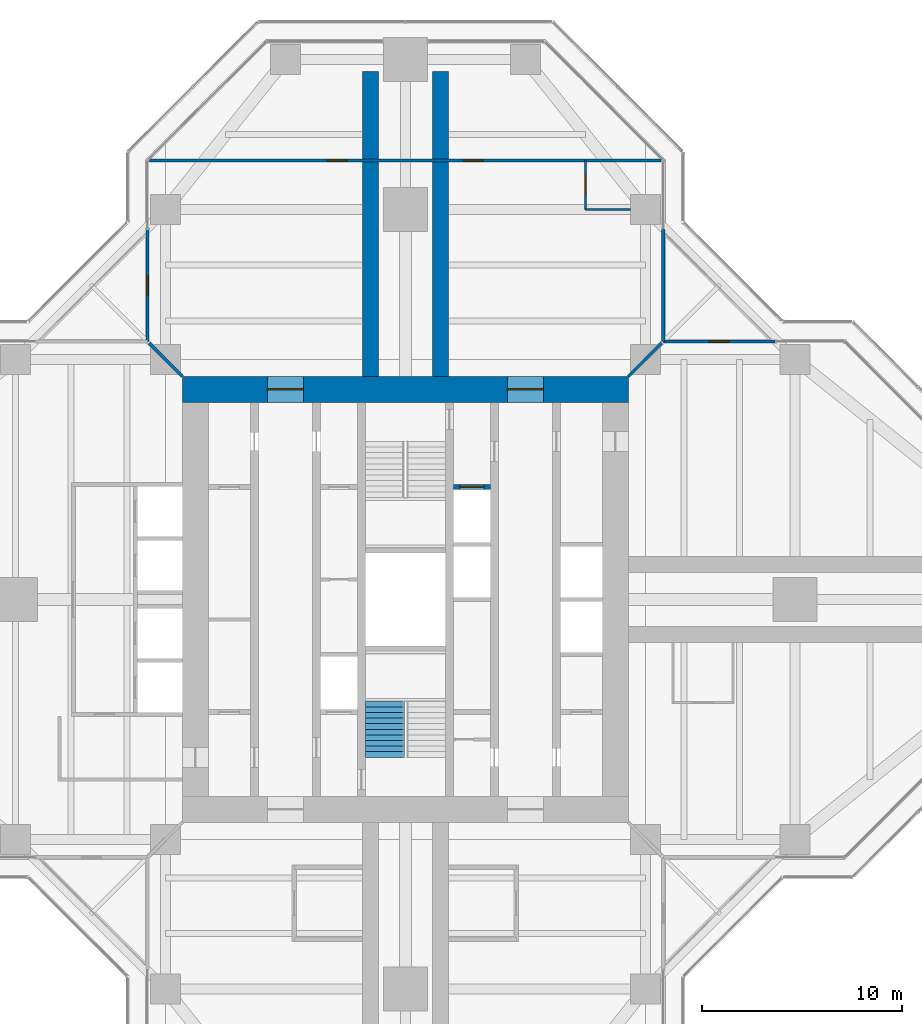
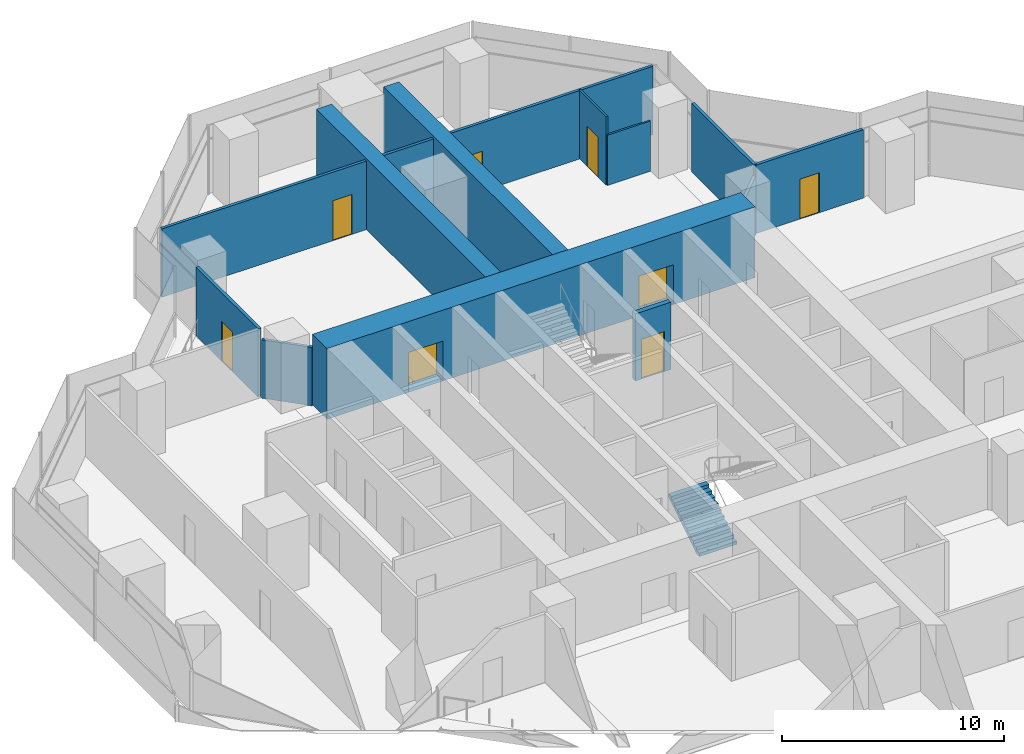
# One storey, part 15 of 17: 12 walls, 8 doors, 1 stair flight, 8 openings, 1 element without a shape of its own.
"""IFC4 building model written with IfcOpenShell, lengths in metres."""

from ifc_helpers import new_model, si_unit, direction, frame, frame_2d, origin, place, context, subcontext, project, spatial, polyline, rectangle, outline, extrude, material, layer, layer_set, type_object, element, fill, aggregate, save


model = new_model("IFC4")

# Units and contexts
model_context = context("Model", 3, precision=1e-05, world=origin(), true_north=direction((0.0, 1.0)))
body_context = subcontext(model_context, "Body", "Model", "MODEL_VIEW")
ifc_project = project(units=[si_unit("LENGTHUNIT", "METRE"), si_unit("AREAUNIT", "SQUARE_METRE"), si_unit("VOLUMEUNIT", "CUBIC_METRE"), si_unit("PLANEANGLEUNIT", "RADIAN"), si_unit("MASSUNIT", "GRAM", prefix="KILO")], contexts=[model_context])

# Site, building, storey
site_placement = place(None, origin())
site = spatial("IfcSite", under=ifc_project, at=site_placement, CompositionType="ELEMENT")
building_placement = place(site_placement, origin())
building = spatial("IfcBuilding", under=site, at=building_placement, Name="Mizan Broadcast Tower", CompositionType="ELEMENT")
storey_placement = place(building_placement, frame((0.0, 0.0, 216.60009765625)))
storey = spatial("IfcBuildingStorey", under=building, at=storey_placement, Name="L50", CompositionType="ELEMENT", Elevation=216.60009765625)

# Wall, openings, doors
ifc_material_1 = material(Name="Concrete C70/85", Category="concrete")
ifc_layer_1 = layer(ifc_material_1, 1.300048828125)
ifc_layer_set_1 = layer_set([ifc_layer_1], Name="Concrete C70/85")
wall_type_1 = type_object("IfcWallType", Name="CORE WALL 1300", PredefinedType="SHEAR", material=ifc_layer_set_1)
wall_1_placement = place(storey_placement, frame((-11.14990234375, 10.5, 0.0), z_axis=(0.0, 0.0, 1.0), x_axis=(1.0, 0.0, 0.0)))
wall_1 = element("IfcWall", 1, at=wall_1_placement, inside=storey, type_object=wall_type_1, Name="Core wall N L50", PredefinedType="SHEAR", context=body_context, shape_type="SweptSolid", body=[
    extrude(rectangle(XDim=22.2998046875, YDim=1.300048828125, at=frame_2d((11.14990234375, 0.0))), origin(), (0.0, 0.0, 1.0), 3.89990234375),
])
opening_1_placement = place(wall_1_placement, frame((4.25, 0.0, 0.0)))
opening_1 = element("IfcOpeningElement", 2, at=opening_1_placement, cuts=wall_1, Name="Opening D18F", PredefinedType="OPENING", context=body_context, shape_type="SweptSolid", body=[
    extrude(rectangle(XDim=1.800048828125, YDim=2.199951171875, at=frame_2d((0.89990234375, 1.10009765625))), frame((0.0, 0.659912109375, 0.0), z_axis=(0.0, -1.0, 0.0), x_axis=(1.0, 0.0, 0.0)), (0.0, 0.0, 1.0), 1.320068359375),
])
opening_2_placement = place(wall_1_placement, frame((16.25, 0.0, 0.0)))
opening_2 = element("IfcOpeningElement", 3, at=opening_2_placement, cuts=wall_1, Name="Opening D18F", PredefinedType="OPENING", context=body_context, shape_type="SweptSolid", body=[
    extrude(rectangle(XDim=1.800048828125, YDim=2.199951171875, at=frame_2d((0.89990234375, 1.10009765625))), frame((0.0, 0.659912109375, 0.0), z_axis=(0.0, -1.0, 0.0), x_axis=(1.0, 0.0, 0.0)), (0.0, 0.0, 1.0), 1.320068359375),
])
ifc_material_2 = material(Name="Steel door leaf in steel frame", Category="steel")
door_type_1 = type_object("IfcDoorType", Name="LOBBY DOUBLE DOOR 1800 FD90", OperationType="DOUBLE_DOOR_DOUBLE_SWING", PredefinedType="DOOR", material=ifc_material_2)
door_1_placement = place(opening_1_placement, origin())
door_1 = element("IfcDoor", 4, at=door_1_placement, inside=storey, type_object=door_type_1, Name="West lift lobby north door", OperationType="DOUBLE_DOOR_DOUBLE_SWING", OverallHeight=2.199951171875, OverallWidth=1.800048828125, PredefinedType="DOOR", context=body_context, shape_type="SweptSolid", body=[
    extrude(rectangle(XDim=1.800048828125, YDim=2.199951171875, at=frame_2d((0.89990234375, 1.10009765625))), frame((0.0, 0.02490234375, 0.0), z_axis=(0.0, -1.0, 0.0), x_axis=(1.0, 0.0, 0.0)), (0.0, 0.0, 1.0), 0.050048828125),
])
fill(opening_1, door_1)
door_2_placement = place(opening_2_placement, origin())
door_2 = element("IfcDoor", 5, at=door_2_placement, inside=storey, type_object=door_type_1, Name="East lift lobby north door", OperationType="DOUBLE_DOOR_DOUBLE_SWING", OverallHeight=2.199951171875, OverallWidth=1.800048828125, PredefinedType="DOOR", context=body_context, shape_type="SweptSolid", body=[
    extrude(rectangle(XDim=1.800048828125, YDim=2.199951171875, at=frame_2d((0.89990234375, 1.10009765625))), frame((0.0, 0.02490234375, 0.0), z_axis=(0.0, -1.0, 0.0), x_axis=(1.0, 0.0, 0.0)), (0.0, 0.0, 1.0), 0.050048828125),
])
fill(opening_2, door_2)

# Wall, opening, door
ifc_material_3 = material(Name="Aluminium framed glazed screen", Category="aluminium")
ifc_layer_2 = layer(ifc_material_3, 0.159912109375)
ifc_layer_set_2 = layer_set([ifc_layer_2], Name="Aluminium framed glazed screen")
wall_type_2 = type_object("IfcWallType", Name="GLAZED SCREEN WALL 160", PredefinedType="SOLIDWALL", material=ifc_layer_set_2)
wall_2_placement = place(storey_placement, frame((18.5, 12.89990234375, 0.0), z_axis=(0.0, 0.0, 1.0), x_axis=(-1.0, 0.0, 0.0)))
wall_2 = element("IfcWall", 6, at=wall_2_placement, inside=storey, type_object=wall_type_2, Name="Winter garden screen L50 E", PredefinedType="SOLIDWALL", context=body_context, shape_type="SweptSolid", body=[
    extrude(rectangle(XDim=5.60009765625, YDim=0.159912109375, at=frame_2d((2.800048828125, 0.0))), origin(), (0.0, 0.0, 1.0), 3.77001953125),
])
opening_3_placement = place(wall_2_placement, frame((2.300048828125, 0.0, 0.0)))
opening_3 = element("IfcOpeningElement", 7, at=opening_3_placement, cuts=wall_2, Name="Opening WGD", PredefinedType="OPENING", context=body_context, shape_type="SweptSolid", body=[
    extrude(rectangle(XDim=1.0, YDim=2.199951171875, at=frame_2d((0.5, 1.10009765625))), frame((0.0, 0.08984375, 0.0), z_axis=(0.0, -1.0, 0.0), x_axis=(1.0, 0.0, 0.0)), (0.0, 0.0, 1.0), 0.179931640625),
])
ifc_material_4 = material(Name="Aluminium framed glazed door", Category="aluminium")
door_type_2 = type_object("IfcDoorType", Name="WINTER GARDEN DOOR 1000 GLAZED", OperationType="SINGLE_SWING_LEFT", PredefinedType="DOOR", material=ifc_material_4)
door_3_placement = place(opening_3_placement, origin())
door_3 = element("IfcDoor", 8, at=door_3_placement, inside=storey, type_object=door_type_2, Name="Winter garden door L50 E", OperationType="SINGLE_SWING_RIGHT", OverallHeight=2.199951171875, OverallWidth=1.0, PredefinedType="DOOR", context=body_context, shape_type="SweptSolid", body=[
    extrude(rectangle(XDim=1.0, YDim=2.199951171875, at=frame_2d((0.5, 1.10009765625))), frame((0.0, 0.02490234375, 0.0), z_axis=(0.0, -1.0, 0.0), x_axis=(1.0, 0.0, 0.0)), (0.0, 0.0, 1.0), 0.050048828125),
])
fill(opening_3, door_3)

# Wall
wall_3_placement = place(storey_placement, frame((12.89990234375, 12.89990234375, 0.0), z_axis=(0.0, 0.0, 1.0), x_axis=(0.0, 1.0, 0.0)))
element("IfcWall", 9, at=wall_3_placement, inside=storey, type_object=wall_type_2, Name="Winter garden screen L50 N", PredefinedType="SOLIDWALL", context=body_context, shape_type="SweptSolid", body=[
    extrude(rectangle(XDim=5.60009765625, YDim=0.159912109375, at=frame_2d((2.800048828125, 0.0))), origin(), (0.0, 0.0, 1.0), 3.77001953125),
])

# Wall, opening, door
wall_4_placement = place(storey_placement, frame((-12.89990234375, 18.5, 0.0), z_axis=(0.0, 0.0, 1.0), x_axis=(0.0, -1.0, 0.0)))
wall_4 = element("IfcWall", 10, at=wall_4_placement, inside=storey, type_object=wall_type_2, Name="Winter garden screen L50 N", PredefinedType="SOLIDWALL", context=body_context, shape_type="SweptSolid", body=[
    extrude(rectangle(XDim=5.60009765625, YDim=0.159912109375, at=frame_2d((2.800048828125, 0.0))), origin(), (0.0, 0.0, 1.0), 3.77001953125),
])
opening_4_placement = place(wall_4_placement, frame((2.300048828125, 0.0, 0.0)))
opening_4 = element("IfcOpeningElement", 11, at=opening_4_placement, cuts=wall_4, Name="Opening WGD", PredefinedType="OPENING", context=body_context, shape_type="SweptSolid", body=[
    extrude(rectangle(XDim=1.0, YDim=2.199951171875, at=frame_2d((0.5, 1.10009765625))), frame((0.0, 0.08984375, 0.0), z_axis=(0.0, -1.0, 0.0), x_axis=(1.0, 0.0, 0.0)), (0.0, 0.0, 1.0), 0.179931640625),
])
door_4_placement = place(opening_4_placement, origin())
door_4 = element("IfcDoor", 12, at=door_4_placement, inside=storey, type_object=door_type_2, Name="Winter garden door L50 N", OperationType="SINGLE_SWING_RIGHT", OverallHeight=2.199951171875, OverallWidth=1.0, PredefinedType="DOOR", context=body_context, shape_type="SweptSolid", body=[
    extrude(rectangle(XDim=1.0, YDim=2.199951171875, at=frame_2d((0.5, 1.10009765625))), frame((0.0, 0.02490234375, 0.0), z_axis=(0.0, -1.0, 0.0), x_axis=(1.0, 0.0, 0.0)), (0.0, 0.0, 1.0), 0.050048828125),
])
fill(opening_4, door_4)

ifc_material_5 = material(Name="Concrete blockwork", Category="masonry")
ifc_layer_3 = layer(ifc_material_5, 0.25)
ifc_layer_set_3 = layer_set([ifc_layer_3], Name="Concrete blockwork")
wall_type_3 = type_object("IfcWallType", Name="LOBBY ENCLOSURE WALL 250", PredefinedType="SOLIDWALL", material=ifc_layer_set_3)
wall_5_placement = place(storey_placement, frame((2.39990234375, 5.625, 0.0), z_axis=(0.0, 0.0, 1.0), x_axis=(1.0, 0.0, 0.0)))
wall_5 = element("IfcWall", 13, at=wall_5_placement, inside=storey, type_object=wall_type_3, Name="Lobby enclosure wall CORE/BE2N", PredefinedType="SOLIDWALL", context=body_context, shape_type="SweptSolid", body=[
    extrude(rectangle(XDim=1.85009765625, YDim=0.25, at=frame_2d((0.925048828125, 0.0))), origin(), (0.0, 0.0, 1.0), 3.699951171875),
])
opening_5_placement = place(wall_5_placement, frame((0.324951171875, 0.0, 0.0)))
opening_5 = element("IfcOpeningElement", 14, at=opening_5_placement, cuts=wall_5, Name="Opening LDF", PredefinedType="OPENING", context=body_context, shape_type="SweptSolid", body=[
    extrude(rectangle(XDim=1.199951171875, YDim=2.199951171875, at=frame_2d((0.60009765625, 1.10009765625))), frame((0.0, 0.135009765625, 0.0), z_axis=(0.0, -1.0, 0.0), x_axis=(1.0, 0.0, 0.0)), (0.0, 0.0, 1.0), 0.27001953125),
])
ifc_material_6 = material(Name="Steel door leaf in steel frame", Category="steel")
door_type_3 = type_object("IfcDoorType", Name="FIREFIGHTING LIFT LANDING DOOR 1200", OperationType="SLIDING_TO_LEFT", PredefinedType="DOOR", material=ifc_material_6)
door_5_placement = place(opening_5_placement, origin())
door_5 = element("IfcDoor", 15, at=door_5_placement, inside=storey, type_object=door_type_3, Name="Landing door FF2", OperationType="SLIDING_TO_LEFT", OverallHeight=2.199951171875, OverallWidth=1.199951171875, PredefinedType="DOOR", context=body_context, shape_type="SweptSolid", body=[
    extrude(rectangle(XDim=1.199951171875, YDim=2.199951171875, at=frame_2d((0.60009765625, 1.10009765625))), frame((0.0, 0.02490234375, 0.0), z_axis=(0.0, -1.0, 0.0), x_axis=(1.0, 0.0, 0.0)), (0.0, 0.0, 1.0), 0.050048828125),
])
fill(opening_5, door_5)

# Wall, openings, doors
ifc_material_7 = material(Name="Gypsum board on steel studs", Category="steel")
ifc_layer_4 = layer(ifc_material_7, 0.14990234375)
ifc_layer_set_4 = layer_set([ifc_layer_4], Name="Gypsum board on steel studs")
wall_type_4 = type_object("IfcWallType", Name="PARTITION 150", PredefinedType="PARTITIONING", material=ifc_layer_set_4)
wall_6_placement = place(storey_placement, frame((12.786376953125, 21.958984375, 0.0), z_axis=(0.0, 0.0, 1.0), x_axis=(-1.0, 0.0, 0.0)))
wall_6 = element("IfcWall", 16, at=wall_6_placement, inside=storey, type_object=wall_type_4, Name="Partition PT/NX1", PredefinedType="PARTITIONING", context=body_context, shape_type="SweptSolid", body=[
    extrude(rectangle(XDim=25.57275390625, YDim=0.14990234375, at=frame_2d((12.786376953125, 0.0))), origin(), (0.0, 0.0, 1.0), 3.77001953125),
])
opening_6_placement = place(wall_6_placement, frame((15.6865234375, 0.0, 0.0)))
opening_6 = element("IfcOpeningElement", 17, at=opening_6_placement, cuts=wall_6, Name="Opening D10", PredefinedType="OPENING", context=body_context, shape_type="SweptSolid", body=[
    extrude(rectangle(XDim=1.0, YDim=2.199951171875, at=frame_2d((0.5, 1.10009765625))), frame((0.0, 0.0849609375, 0.0), z_axis=(0.0, -1.0, 0.0), x_axis=(1.0, 0.0, 0.0)), (0.0, 0.0, 1.0), 0.169921875),
])
opening_7_placement = place(wall_6_placement, frame((8.886474609375, 0.0, 0.0)))
opening_7 = element("IfcOpeningElement", 18, at=opening_7_placement, cuts=wall_6, Name="Opening D10", PredefinedType="OPENING", context=body_context, shape_type="SweptSolid", body=[
    extrude(rectangle(XDim=1.0, YDim=2.199951171875, at=frame_2d((0.5, 1.10009765625))), frame((0.0, 0.0849609375, 0.0), z_axis=(0.0, -1.0, 0.0), x_axis=(1.0, 0.0, 0.0)), (0.0, 0.0, 1.0), 0.169921875),
])
ifc_material_8 = material(Name="Timber door leaf in aluminium frame", Category="wood")
door_type_4 = type_object("IfcDoorType", Name="ROOM DOOR 1000", OperationType="SINGLE_SWING_LEFT", PredefinedType="DOOR", material=ifc_material_8)
door_6_placement = place(opening_6_placement, origin())
door_6 = element("IfcDoor", 19, at=door_6_placement, inside=storey, type_object=door_type_4, Name="Office door", OperationType="SINGLE_SWING_RIGHT", OverallHeight=2.199951171875, OverallWidth=1.0, PredefinedType="DOOR", context=body_context, shape_type="SweptSolid", body=[
    extrude(rectangle(XDim=1.0, YDim=2.199951171875, at=frame_2d((0.5, 1.10009765625))), frame((0.0, 0.02490234375, 0.0), z_axis=(0.0, -1.0, 0.0), x_axis=(1.0, 0.0, 0.0)), (0.0, 0.0, 1.0), 0.050048828125),
])
fill(opening_6, door_6)
door_7_placement = place(opening_7_placement, origin())
door_7 = element("IfcDoor", 20, at=door_7_placement, inside=storey, type_object=door_type_4, Name="Office door", OperationType="SINGLE_SWING_LEFT", OverallHeight=2.199951171875, OverallWidth=1.0, PredefinedType="DOOR", context=body_context, shape_type="SweptSolid", body=[
    extrude(rectangle(XDim=1.0, YDim=2.199951171875, at=frame_2d((0.5, 1.10009765625))), frame((0.0, 0.02490234375, 0.0), z_axis=(0.0, -1.0, 0.0), x_axis=(1.0, 0.0, 0.0)), (0.0, 0.0, 1.0), 0.050048828125),
])
fill(opening_7, door_7)

# Walls
for number, where, z_axis, x_axis, name in (
    (21, (11.14990234375, 11.14990234375, 0.0), (0.0, 0.0, 1.0), (0.707106781187, 0.707106781187, 0.0), "Partition PT/DGEN"),
    (22, (-11.14990234375, 11.14990234375, 0.0), (0.0, 0.0, 1.0), (-0.707106781187, 0.707106781187, 0.0), "Partition PT/DGWN"),
):
    element("IfcWall", number, at=place(storey_placement, frame(where, z_axis=z_axis, x_axis=x_axis)), inside=storey, type_object=wall_type_4, Name=name, PredefinedType="PARTITIONING", context=body_context, shape_type="SweptSolid", body=[
        extrude(rectangle(XDim=2.362060546875, YDim=0.14990234375, at=frame_2d((1.18115234375, 0.0))), origin(), (0.0, 0.0, 1.0), 3.219970703125),
    ])

# Wall, opening, door
ifc_material_9 = material(Name="Glazed aluminium partition on aluminium track", Category="aluminium")
ifc_layer_5 = layer(ifc_material_9, 0.10009765625)
ifc_layer_set_5 = layer_set([ifc_layer_5], Name="Glazed aluminium partition on aluminium track")
wall_type_5 = type_object("IfcWallType", Name="PARTITION GLAZED OFFICE FRONT 100", PredefinedType="PARTITIONING", material=ifc_layer_set_5)
wall_7_placement = place(storey_placement, frame((9.0, 19.5, 0.0), z_axis=(0.0, 0.0, 1.0), x_axis=(0.0, 1.0, 0.0)))
wall_7 = element("IfcWall", 23, at=wall_7_placement, inside=storey, type_object=wall_type_5, Name="Glazed office front PT/NCN0", PredefinedType="PARTITIONING", context=body_context, shape_type="SweptSolid", body=[
    extrude(rectangle(XDim=2.458984375, YDim=0.10009765625, at=frame_2d((1.2294921875, 0.0))), origin(), (0.0, 0.0, 1.0), 3.77001953125),
])
opening_8_placement = place(wall_7_placement, frame((0.7294921875, 0.0, 0.0)))
opening_8 = element("IfcOpeningElement", 24, at=opening_8_placement, cuts=wall_7, Name="Opening D10O", PredefinedType="OPENING", context=body_context, shape_type="SweptSolid", body=[
    extrude(rectangle(XDim=1.0, YDim=2.199951171875, at=frame_2d((0.5, 1.10009765625))), frame((0.0, 0.06005859375, 0.0), z_axis=(0.0, -1.0, 0.0), x_axis=(1.0, 0.0, 0.0)), (0.0, 0.0, 1.0), 0.1201171875),
])
ifc_material_10 = material(Name="Timber door leaf in aluminium frame", Category="wood")
door_type_5 = type_object("IfcDoorType", Name="OFFICE DOOR 1000 GLAZED", OperationType="SINGLE_SWING_LEFT", PredefinedType="DOOR", material=ifc_material_10)
door_8_placement = place(opening_8_placement, origin())
door_8 = element("IfcDoor", 25, at=door_8_placement, inside=storey, type_object=door_type_5, Name="Office door", OperationType="SINGLE_SWING_LEFT", OverallHeight=2.199951171875, OverallWidth=1.0, PredefinedType="DOOR", context=body_context, shape_type="SweptSolid", body=[
    extrude(rectangle(XDim=1.0, YDim=2.199951171875, at=frame_2d((0.5, 1.10009765625))), frame((0.0, 0.02490234375, 0.0), z_axis=(0.0, -1.0, 0.0), x_axis=(1.0, 0.0, 0.0)), (0.0, 0.0, 1.0), 0.050048828125),
])
fill(opening_8, door_8)

# Walls
wall_8_placement = place(storey_placement, frame((9.0, 19.5, 0.0), z_axis=(0.0, 0.0, 1.0), x_axis=(1.0, 0.0, 0.0)))
element("IfcWall", 26, at=wall_8_placement, inside=storey, type_object=wall_type_5, Name="Glazed office front PT/NQN1950", PredefinedType="PARTITIONING", context=body_context, shape_type="SweptSolid", body=[
    extrude(rectangle(XDim=2.25, YDim=0.10009765625, at=frame_2d((1.125, 0.0))), origin(), (0.0, 0.0, 1.0), 2.77001953125),
])
ifc_material_11 = material(Name="Concrete C70/85", Category="concrete")
ifc_layer_6 = layer(ifc_material_11, 0.800048828125)
ifc_layer_set_6 = layer_set([ifc_layer_6], Name="Concrete C70/85")
wall_type_6 = type_object("IfcWallType", Name="SPINE WALL 800", PredefinedType="SHEAR", material=ifc_layer_set_6)
for number, where, z_axis, x_axis, name in (
    (27, (1.75, 11.14990234375, 0.0), (0.0, 0.0, 1.0), (0.0, 1.0, 0.0), "Spine wall NR L50"),
    (28, (-1.75, 11.14990234375, 0.0), (0.0, 0.0, 1.0), (0.0, 1.0, 0.0), "Spine wall NL L50"),
):
    element("IfcWall", number, at=place(storey_placement, frame(where, z_axis=z_axis, x_axis=x_axis)), inside=storey, type_object=wall_type_6, Name=name, PredefinedType="SHEAR", context=body_context, shape_type="SweptSolid", body=[
        extrude(rectangle(XDim=15.25, YDim=0.800048828125, at=frame_2d((7.625, 0.0))), origin(), (0.0, 0.0, 1.0), 3.89990234375),
    ])

# Stair, stair flight
ifc_material_12 = material(Name="Concrete C40/50", Category="concrete")
stair_type = type_object("IfcStairType", Name="EXIT STAIR", PredefinedType="HALF_TURN_STAIR", material=ifc_material_12)
stair_placement = place(storey_placement, origin())
stair = element("IfcStair", 29, at=stair_placement, inside=storey, type_object=stair_type, Name="Stair A L50", PredefinedType="HALF_TURN_STAIR")
ifc_material_13 = material(Name="Concrete C40/50", Category="concrete")
stair_flight_type = type_object("IfcStairFlightType", Name="EXIT STAIR FLIGHT", PredefinedType="STRAIGHT", material=ifc_material_13)
stair_flight_placement = place(storey_placement, frame((-1.02490234375, -7.89990234375, 0.0), z_axis=(0.0, 0.0, 1.0), x_axis=(0.0, 1.0, 0.0)))
stair_flight = element("IfcStairFlight", 30, at=stair_flight_placement, type_object=stair_flight_type, Name="A flight 1", NumberOfRisers=11, NumberOfTreads=10, PredefinedType="STRAIGHT", RiserHeight=0.177272727, TreadLength=0.28, context=body_context, shape_type="SweptSolid", body=[
    extrude(outline(polyline([(0.0, 0.0), (0.0, 0.17724609375), (0.280029296875, 0.17724609375), (0.280029296875, 0.3544921875), (0.56005859375, 0.3544921875), (0.56005859375, 0.53173828125), (0.840087890625, 0.53173828125), (0.840087890625, 0.708984375), (1.1201171875, 0.708984375), (1.1201171875, 0.886474609375), (1.39990234375, 0.886474609375), (1.39990234375, 1.063720703125), (1.679931640625, 1.063720703125), (1.679931640625, 1.240966796875), (1.9599609375, 1.240966796875), (1.9599609375, 1.418212890625), (2.239990234375, 1.418212890625), (2.239990234375, 1.595458984375), (2.52001953125, 1.595458984375), (2.52001953125, 1.772705078125), (2.800048828125, 1.772705078125), (2.800048828125, 1.949951171875), (2.800048828125, 1.59521484375), (0.2802734375, 0.0), (0.0, 0.0)])), frame((0.0, 0.97509765625, 0.0), z_axis=(0.0, -1.0, 0.0), x_axis=(1.0, 0.0, 0.0)), (0.0, 0.0, 1.0), 0.4873046875),
    extrude(outline(polyline([(0.0, 0.0), (0.0, 0.17724609375), (0.280029296875, 0.17724609375), (0.280029296875, 0.3544921875), (0.56005859375, 0.3544921875), (0.56005859375, 0.53173828125), (0.840087890625, 0.53173828125), (0.840087890625, 0.708984375), (1.1201171875, 0.708984375), (1.1201171875, 0.886474609375), (1.39990234375, 0.886474609375), (1.39990234375, 1.063720703125), (1.679931640625, 1.063720703125), (1.679931640625, 1.240966796875), (1.9599609375, 1.240966796875), (1.9599609375, 1.418212890625), (2.239990234375, 1.418212890625), (2.239990234375, 1.595458984375), (2.52001953125, 1.595458984375), (2.52001953125, 1.772705078125), (2.800048828125, 1.772705078125), (2.800048828125, 1.949951171875), (2.800048828125, 1.59521484375), (0.2802734375, 0.0), (0.0, 0.0)])), frame((0.0, 0.4873046875, 0.0), z_axis=(0.0, -1.0, 0.0), x_axis=(1.0, 0.0, 0.0)), (0.0, 0.0, 1.0), 0.2431640625),
    extrude(outline(polyline([(0.0, 0.0), (0.0, 0.17724609375), (0.280029296875, 0.17724609375), (0.280029296875, 0.3544921875), (0.56005859375, 0.3544921875), (0.56005859375, 0.53173828125), (0.840087890625, 0.53173828125), (0.840087890625, 0.708984375), (1.1201171875, 0.708984375), (1.1201171875, 0.886474609375), (1.39990234375, 0.886474609375), (1.39990234375, 1.063720703125), (1.679931640625, 1.063720703125), (1.679931640625, 1.240966796875), (1.9599609375, 1.240966796875), (1.9599609375, 1.418212890625), (2.239990234375, 1.418212890625), (2.239990234375, 1.595458984375), (2.52001953125, 1.595458984375), (2.52001953125, 1.772705078125), (2.800048828125, 1.772705078125), (2.800048828125, 1.949951171875), (2.800048828125, 1.59521484375), (0.2802734375, 0.0), (0.0, 0.0)])), frame((0.0, 0.24365234375, 0.0), z_axis=(0.0, -1.0, 0.0), x_axis=(1.0, 0.0, 0.0)), (0.0, 0.0, 1.0), 0.121337890625),
    extrude(outline(polyline([(0.0, 0.0), (0.0, 0.17724609375), (0.280029296875, 0.17724609375), (0.280029296875, 0.3544921875), (0.56005859375, 0.3544921875), (0.56005859375, 0.53173828125), (0.840087890625, 0.53173828125), (0.840087890625, 0.708984375), (1.1201171875, 0.708984375), (1.1201171875, 0.886474609375), (1.39990234375, 0.886474609375), (1.39990234375, 1.063720703125), (1.679931640625, 1.063720703125), (1.679931640625, 1.240966796875), (1.9599609375, 1.240966796875), (1.9599609375, 1.418212890625), (2.239990234375, 1.418212890625), (2.239990234375, 1.595458984375), (2.52001953125, 1.595458984375), (2.52001953125, 1.772705078125), (2.800048828125, 1.772705078125), (2.800048828125, 1.949951171875), (2.800048828125, 1.59521484375), (0.2802734375, 0.0), (0.0, 0.0)])), frame((0.0, 0.121826171875, 0.0), z_axis=(0.0, -1.0, 0.0), x_axis=(1.0, 0.0, 0.0)), (0.0, 0.0, 1.0), 0.060546875),
    extrude(outline(polyline([(0.0, 0.0), (0.0, 0.17724609375), (0.280029296875, 0.17724609375), (0.280029296875, 0.3544921875), (0.56005859375, 0.3544921875), (0.56005859375, 0.53173828125), (0.840087890625, 0.53173828125), (0.840087890625, 0.708984375), (1.1201171875, 0.708984375), (1.1201171875, 0.886474609375), (1.39990234375, 0.886474609375), (1.39990234375, 1.063720703125), (1.679931640625, 1.063720703125), (1.679931640625, 1.240966796875), (1.9599609375, 1.240966796875), (1.9599609375, 1.418212890625), (2.239990234375, 1.418212890625), (2.239990234375, 1.595458984375), (2.52001953125, 1.595458984375), (2.52001953125, 1.772705078125), (2.800048828125, 1.772705078125), (2.800048828125, 1.949951171875), (2.800048828125, 1.59521484375), (0.2802734375, 0.0), (0.0, 0.0)])), frame((0.0, 0.060791015625, 0.0), z_axis=(0.0, -1.0, 0.0), x_axis=(1.0, 0.0, 0.0)), (0.0, 0.0, 1.0), 0.030029296875),
    extrude(outline(polyline([(0.0, 0.0), (0.0, 0.17724609375), (0.280029296875, 0.17724609375), (0.280029296875, 0.3544921875), (0.56005859375, 0.3544921875), (0.56005859375, 0.53173828125), (0.840087890625, 0.53173828125), (0.840087890625, 0.708984375), (1.1201171875, 0.708984375), (1.1201171875, 0.886474609375), (1.39990234375, 0.886474609375), (1.39990234375, 1.063720703125), (1.679931640625, 1.063720703125), (1.679931640625, 1.240966796875), (1.9599609375, 1.240966796875), (1.9599609375, 1.418212890625), (2.239990234375, 1.418212890625), (2.239990234375, 1.595458984375), (2.52001953125, 1.595458984375), (2.52001953125, 1.772705078125), (2.800048828125, 1.772705078125), (2.800048828125, 1.949951171875), (2.800048828125, 1.59521484375), (0.2802734375, 0.0), (0.0, 0.0)])), frame((0.0, 0.0302734375, 0.0), z_axis=(0.0, -1.0, 0.0), x_axis=(1.0, 0.0, 0.0)), (0.0, 0.0, 1.0), 0.060302734375),
    extrude(outline(polyline([(0.0, 0.0), (0.0, 0.17724609375), (0.280029296875, 0.17724609375), (0.280029296875, 0.3544921875), (0.56005859375, 0.3544921875), (0.56005859375, 0.53173828125), (0.840087890625, 0.53173828125), (0.840087890625, 0.708984375), (1.1201171875, 0.708984375), (1.1201171875, 0.886474609375), (1.39990234375, 0.886474609375), (1.39990234375, 1.063720703125), (1.679931640625, 1.063720703125), (1.679931640625, 1.240966796875), (1.9599609375, 1.240966796875), (1.9599609375, 1.418212890625), (2.239990234375, 1.418212890625), (2.239990234375, 1.595458984375), (2.52001953125, 1.595458984375), (2.52001953125, 1.772705078125), (2.800048828125, 1.772705078125), (2.800048828125, 1.949951171875), (2.800048828125, 1.59521484375), (0.2802734375, 0.0), (0.0, 0.0)])), frame((0.0, -0.030517578125, 0.0), z_axis=(0.0, -1.0, 0.0), x_axis=(1.0, 0.0, 0.0)), (0.0, 0.0, 1.0), 0.030029296875),
    extrude(outline(polyline([(0.0, 0.0), (0.0, 0.17724609375), (0.280029296875, 0.17724609375), (0.280029296875, 0.3544921875), (0.56005859375, 0.3544921875), (0.56005859375, 0.53173828125), (0.840087890625, 0.53173828125), (0.840087890625, 0.708984375), (1.1201171875, 0.708984375), (1.1201171875, 0.886474609375), (1.39990234375, 0.886474609375), (1.39990234375, 1.063720703125), (1.679931640625, 1.063720703125), (1.679931640625, 1.240966796875), (1.9599609375, 1.240966796875), (1.9599609375, 1.418212890625), (2.239990234375, 1.418212890625), (2.239990234375, 1.595458984375), (2.52001953125, 1.595458984375), (2.52001953125, 1.772705078125), (2.800048828125, 1.772705078125), (2.800048828125, 1.949951171875), (2.800048828125, 1.59521484375), (0.2802734375, 0.0), (0.0, 0.0)])), frame((0.0, -0.06103515625, 0.0), z_axis=(0.0, -1.0, 0.0), x_axis=(1.0, 0.0, 0.0)), (0.0, 0.0, 1.0), 0.060546875),
    extrude(outline(polyline([(0.0, 0.0), (0.0, 0.17724609375), (0.280029296875, 0.17724609375), (0.280029296875, 0.3544921875), (0.56005859375, 0.3544921875), (0.56005859375, 0.53173828125), (0.840087890625, 0.53173828125), (0.840087890625, 0.708984375), (1.1201171875, 0.708984375), (1.1201171875, 0.886474609375), (1.39990234375, 0.886474609375), (1.39990234375, 1.063720703125), (1.679931640625, 1.063720703125), (1.679931640625, 1.240966796875), (1.9599609375, 1.240966796875), (1.9599609375, 1.418212890625), (2.239990234375, 1.418212890625), (2.239990234375, 1.595458984375), (2.52001953125, 1.595458984375), (2.52001953125, 1.772705078125), (2.800048828125, 1.772705078125), (2.800048828125, 1.949951171875), (2.800048828125, 1.59521484375), (0.2802734375, 0.0), (0.0, 0.0)])), frame((0.0, -0.1220703125, 0.0), z_axis=(0.0, -1.0, 0.0), x_axis=(1.0, 0.0, 0.0)), (0.0, 0.0, 1.0), 0.121337890625),
    extrude(outline(polyline([(0.0, 0.0), (0.0, 0.17724609375), (0.280029296875, 0.17724609375), (0.280029296875, 0.3544921875), (0.56005859375, 0.3544921875), (0.56005859375, 0.53173828125), (0.840087890625, 0.53173828125), (0.840087890625, 0.708984375), (1.1201171875, 0.708984375), (1.1201171875, 0.886474609375), (1.39990234375, 0.886474609375), (1.39990234375, 1.063720703125), (1.679931640625, 1.063720703125), (1.679931640625, 1.240966796875), (1.9599609375, 1.240966796875), (1.9599609375, 1.418212890625), (2.239990234375, 1.418212890625), (2.239990234375, 1.595458984375), (2.52001953125, 1.595458984375), (2.52001953125, 1.772705078125), (2.800048828125, 1.772705078125), (2.800048828125, 1.949951171875), (2.800048828125, 1.59521484375), (0.2802734375, 0.0), (0.0, 0.0)])), frame((0.0, -0.243896484375, 0.0), z_axis=(0.0, -1.0, 0.0), x_axis=(1.0, 0.0, 0.0)), (0.0, 0.0, 1.0), 0.2431640625),
    extrude(outline(polyline([(0.0, 0.0), (0.0, 0.17724609375), (0.280029296875, 0.17724609375), (0.280029296875, 0.3544921875), (0.56005859375, 0.3544921875), (0.56005859375, 0.53173828125), (0.840087890625, 0.53173828125), (0.840087890625, 0.708984375), (1.1201171875, 0.708984375), (1.1201171875, 0.886474609375), (1.39990234375, 0.886474609375), (1.39990234375, 1.063720703125), (1.679931640625, 1.063720703125), (1.679931640625, 1.240966796875), (1.9599609375, 1.240966796875), (1.9599609375, 1.418212890625), (2.239990234375, 1.418212890625), (2.239990234375, 1.595458984375), (2.52001953125, 1.595458984375), (2.52001953125, 1.772705078125), (2.800048828125, 1.772705078125), (2.800048828125, 1.949951171875), (2.800048828125, 1.59521484375), (0.2802734375, 0.0), (0.0, 0.0)])), frame((0.0, -0.487548828125, 0.0), z_axis=(0.0, -1.0, 0.0), x_axis=(1.0, 0.0, 0.0)), (0.0, 0.0, 1.0), 0.4873046875),
])
aggregate(stair, [stair_flight])

save(model, "model.ifc")
